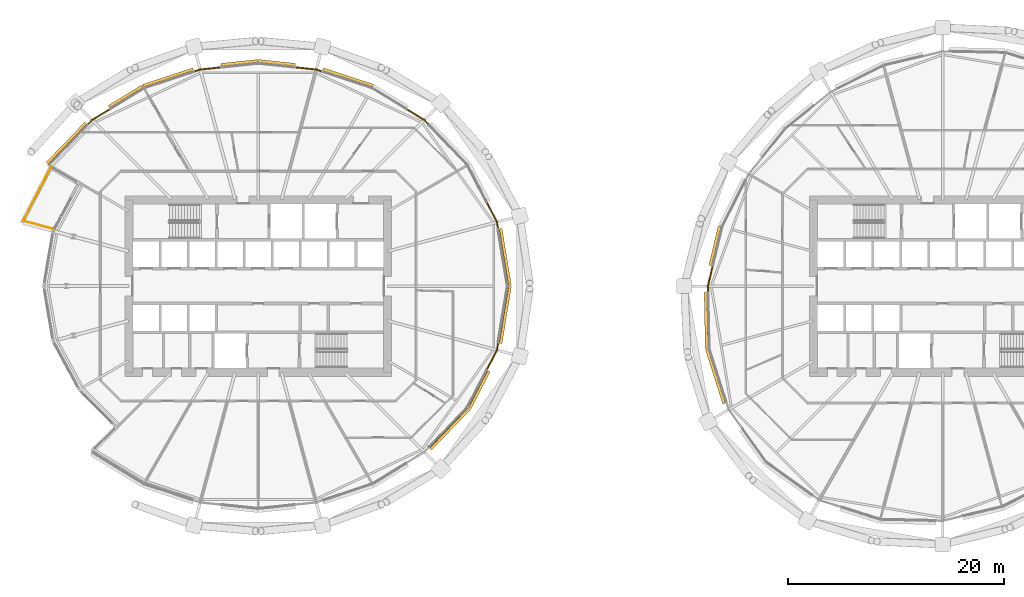
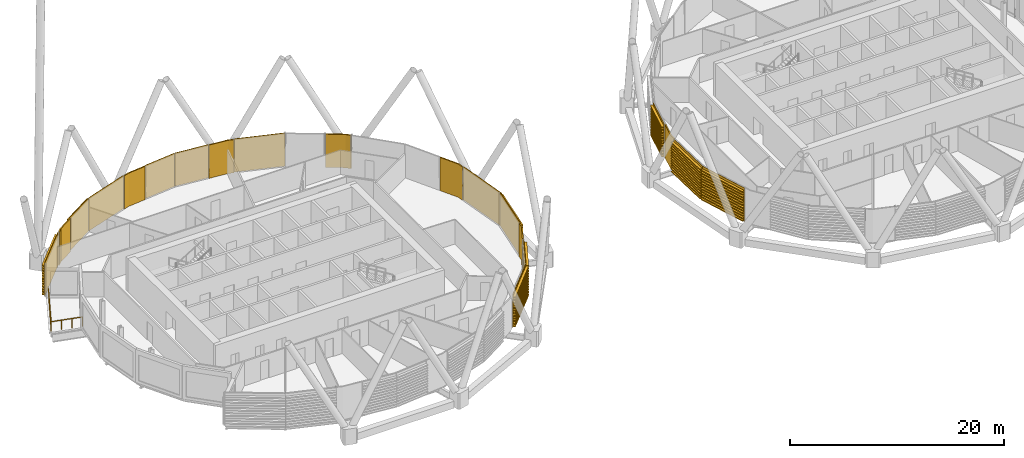
# One storey, part 36 of 39: 20 coverings, 1 railing.
"""IFC4 building model written with IfcOpenShell, lengths in metres."""

from ifc_helpers import new_model, si_unit, direction, frame, origin, origin_2d, place, context, subcontext, project, spatial, polyline, circle, outline, extrude, material, layer, layer_set, material_profile, profile_set, type_object, element, save


model = new_model("IFC4")

# Units and contexts
model_context = context("Model", 3, precision=1e-05, world=origin(), true_north=direction((0.0, 1.0)))
body_context = subcontext(model_context, "Body", "Model", "MODEL_VIEW")
ifc_project = project(units=[si_unit("LENGTHUNIT", "METRE"), si_unit("AREAUNIT", "SQUARE_METRE"), si_unit("VOLUMEUNIT", "CUBIC_METRE"), si_unit("PLANEANGLEUNIT", "RADIAN"), si_unit("MASSUNIT", "GRAM", prefix="KILO")], contexts=[model_context])

# Site, building, storey
site_placement = place(None, origin())
site = spatial("IfcSite", under=ifc_project, at=site_placement, CompositionType="ELEMENT")
building_placement = place(site_placement, origin())
building = spatial("IfcBuilding", under=site, at=building_placement, Name="Rimbun Link Towers", CompositionType="ELEMENT")
storey_placement = place(building_placement, frame((0.0, 0.0, 115.800048828125)))
storey = spatial("IfcBuildingStorey", under=building, at=storey_placement, Name="L28", CompositionType="ELEMENT", Elevation=115.800048828125)

# Railing
ifc_material_1 = material(Name="Stainless steel grade 316", Category="steel")
railing_type = type_object("IfcRailingType", Name="GUARD stainless rail and posts", PredefinedType="GUARDRAIL", material=ifc_material_1)
railing_placement = place(storey_placement, frame((-50.94580078125, 11.093505859375, 0.0)))
element("IfcRailing", 1, at=railing_placement, inside=storey, type_object=railing_type, Name="GUARD", PredefinedType="GUARDRAIL", context=body_context, shape_type="SweptSolid", body=[
    extrude(circle(Radius=0.02392578125, at=origin_2d()), frame((0.0, 0.0, 1.076171875), z_axis=(-0.45953519296, -0.888159561358, 0.0), x_axis=(0.888159561358, -0.45953519296, 0.0)), (0.0, 0.0, 1.0), 5.6787109375),
    extrude(circle(Radius=0.02392578125, at=origin_2d()), frame((-2.609619140625, -5.043701171875, 1.076171875), z_axis=(0.965919477971, -0.258842736186, 0.0), x_axis=(0.258842736186, 0.965919477971, 0.0)), (0.0, 0.0, 1.0), 3.05126953125),
    extrude(circle(Radius=0.02099609375, at=origin_2d()), origin(), (0.0, 0.0, 1.0), 1.052001953125),
    extrude(circle(Radius=0.02099609375, at=origin_2d()), frame((-0.52197265625, -1.0087890625, 0.0)), (0.0, 0.0, 1.0), 1.052001953125),
    extrude(circle(Radius=0.02099609375, at=origin_2d()), frame((-1.0439453125, -2.017578125, 0.0)), (0.0, 0.0, 1.0), 1.052001953125),
    extrude(circle(Radius=0.02099609375, at=origin_2d()), frame((-1.565673828125, -3.026123046875, 0.0)), (0.0, 0.0, 1.0), 1.052001953125),
    extrude(circle(Radius=0.02099609375, at=origin_2d()), frame((-2.087646484375, -4.034912109375, 0.0)), (0.0, 0.0, 1.0), 1.052001953125),
    extrude(circle(Radius=0.02099609375, at=origin_2d()), frame((-2.609619140625, -5.043701171875, 0.0)), (0.0, 0.0, 1.0), 1.052001953125),
    extrude(circle(Radius=0.02099609375, at=origin_2d()), frame((-1.627197265625, -5.306884765625, 0.0)), (0.0, 0.0, 1.0), 1.052001953125),
    extrude(circle(Radius=0.02099609375, at=origin_2d()), frame((-0.644775390625, -5.5703125, 0.0)), (0.0, 0.0, 1.0), 1.052001953125),
    extrude(circle(Radius=0.02099609375, at=origin_2d()), frame((0.337646484375, -5.83349609375, 0.0)), (0.0, 0.0, 1.0), 1.052001953125),
])

# Coverings
ifc_material_2 = material(Name="Terracotta", Category="masonry")
ifc_layer = layer(ifc_material_2, 0.1201171875)
ifc_layer_set = layer_set([ifc_layer], Name="LINK PIER terracotta cladding 120")
covering_type_1 = type_object("IfcCoveringType", Name="LINK PIER terracotta cladding 120", PredefinedType="CLADDING", material=ifc_layer_set)
covering_1_placement = place(storey_placement, origin())
element("IfcCovering", 2, at=covering_1_placement, inside=storey, type_object=covering_type_1, Name="LINK PIER cladding", PredefinedType="CLADDING", context=body_context, shape_type="SweptSolid", body=[
    extrude(outline(polyline([(-10.5810546875, 7.715087890625), (-9.652587890625, 5.9208984375), (-9.552001953125, 5.309326171875), (-9.43359375, 5.32861328125), (-9.537353515625, 5.959228515625), (-10.474365234375, 7.770263671875), (-10.5810546875, 7.715087890625)])), origin(), (0.0, 0.0, 1.0), 3.800048828125),
])
covering_2_placement = place(storey_placement, origin())
element("IfcCovering", 3, at=covering_2_placement, inside=storey, type_object=covering_type_1, Name="LINK PIER cladding", PredefinedType="CLADDING", context=body_context, shape_type="SweptSolid", body=[
    extrude(outline(polyline([(-17.97802734375, 16.343994140625), (-16.384521484375, 15.365478515625), (-15.989990234375, 14.9541015625), (-15.9033203125, 15.037109375), (-16.308349609375, 15.459716796875), (-17.915283203125, 16.4462890625), (-17.97802734375, 16.343994140625)])), origin(), (0.0, 0.0, 1.0), 3.800048828125),
])
covering_3_placement = place(storey_placement, origin())
element("IfcCovering", 4, at=covering_3_placement, inside=storey, type_object=covering_type_1, Name="LINK PIER cladding", PredefinedType="CLADDING", context=body_context, shape_type="SweptSolid", body=[
    extrude(outline(polyline([(-28.29150390625, 20.23486328125), (-26.382080078125, 20.03369140625), (-25.8408203125, 19.8544921875), (-25.80322265625, 19.96826171875), (-26.3564453125, 20.151611328125), (-28.27880859375, 20.354248046875), (-28.29150390625, 20.23486328125)])), origin(), (0.0, 0.0, 1.0), 3.800048828125),
])
covering_4_placement = place(storey_placement, origin())
element("IfcCovering", 5, at=covering_4_placement, inside=storey, type_object=covering_type_1, Name="LINK PIER cladding", PredefinedType="CLADDING", context=body_context, shape_type="SweptSolid", body=[
    extrude(outline(polyline([(-37.6591796875, 19.8544921875), (-37.117919921875, 20.03369140625), (-35.20849609375, 20.23486328125), (-35.22119140625, 20.354248046875), (-37.1435546875, 20.151611328125), (-37.69677734375, 19.96826171875), (-37.6591796875, 19.8544921875)])), origin(), (0.0, 0.0, 1.0), 3.800048828125),
])
covering_5_placement = place(storey_placement, origin())
element("IfcCovering", 6, at=covering_5_placement, inside=storey, type_object=covering_type_1, Name="LINK PIER cladding", PredefinedType="CLADDING", context=body_context, shape_type="SweptSolid", body=[
    extrude(outline(polyline([(-47.510009765625, 14.9541015625), (-47.115478515625, 15.365478515625), (-45.4794921875, 16.3701171875), (-45.542236328125, 16.472412109375), (-47.191650390625, 15.459716796875), (-47.5966796875, 15.037109375), (-47.510009765625, 14.9541015625)])), origin(), (0.0, 0.0, 1.0), 3.800048828125),
])
covering_6_placement = place(storey_placement, origin())
element("IfcCovering", 7, at=covering_6_placement, inside=storey, type_object=covering_type_1, Name="LINK PIER cladding", PredefinedType="CLADDING", context=body_context, shape_type="SweptSolid", body=[
    extrude(outline(polyline([(-9.552001953125, -5.309326171875), (-9.652587890625, -5.9208984375), (-10.5810546875, -7.715087890625), (-10.474365234375, -7.770263671875), (-9.537353515625, -5.959228515625), (-9.43359375, -5.32861328125), (-9.552001953125, -5.309326171875)])), origin(), (0.0, 0.0, 1.0), 3.800048828125),
])
covering_7_placement = place(storey_placement, origin())
element("IfcCovering", 8, at=covering_7_placement, inside=storey, type_object=covering_type_1, Name="LINK PIER cladding", PredefinedType="CLADDING", context=body_context, shape_type="SweptSolid", body=[
    extrude(outline(polyline([(10.03173828125, -0.56982421875), (10.019775390625, 0.0), (10.45458984375, 1.818603515625), (10.337890625, 1.8466796875), (9.8994140625, 0.012939453125), (9.91162109375, -0.572509765625), (10.03173828125, -0.56982421875)])), origin(), (0.0, 0.0, 1.0), 3.800048828125),
])
ifc_material_3 = material(Name="Terracotta", Category="masonry")
ifc_material_profile = material_profile(ifc_material_3, outline(polyline([(0.123046875, 0.0), (0.1630859375, 0.0), (0.1630859375, 0.10009765625), (0.423095703125, 0.10009765625), (0.423095703125, 0.219970703125), (0.1630859375, 0.219970703125), (0.1630859375, 0.39990234375), (0.423095703125, 0.39990234375), (0.423095703125, 0.52001953125), (0.1630859375, 0.52001953125), (0.1630859375, 0.699951171875), (0.423095703125, 0.699951171875), (0.423095703125, 0.820068359375), (0.1630859375, 0.820068359375), (0.1630859375, 1.0), (0.423095703125, 1.0), (0.423095703125, 1.1201171875), (0.1630859375, 1.1201171875), (0.1630859375, 1.300048828125), (0.423095703125, 1.300048828125), (0.423095703125, 1.419921875), (0.1630859375, 1.419921875), (0.1630859375, 1.60009765625), (0.423095703125, 1.60009765625), (0.423095703125, 1.719970703125), (0.1630859375, 1.719970703125), (0.1630859375, 1.89990234375), (0.423095703125, 1.89990234375), (0.423095703125, 2.02001953125), (0.1630859375, 2.02001953125), (0.1630859375, 2.199951171875), (0.423095703125, 2.199951171875), (0.423095703125, 2.320068359375), (0.1630859375, 2.320068359375), (0.1630859375, 2.5), (0.423095703125, 2.5), (0.423095703125, 2.6201171875), (0.1630859375, 2.6201171875), (0.1630859375, 2.800048828125), (0.423095703125, 2.800048828125), (0.423095703125, 2.919921875), (0.1630859375, 2.919921875), (0.1630859375, 3.10009765625), (0.423095703125, 3.10009765625), (0.423095703125, 3.219970703125), (0.1630859375, 3.219970703125), (0.1630859375, 3.39990234375), (0.423095703125, 3.39990234375), (0.423095703125, 3.52001953125), (0.1630859375, 3.52001953125), (0.1630859375, 3.800048828125), (0.123046875, 3.800048828125), (0.123046875, 0.0)])), Name="BAGUETTE 120X300")
ifc_profile_set = profile_set([ifc_material_profile], Name="Terracotta")
covering_type_2 = type_object("IfcCoveringType", Name="TERRACOTTA BAGUETTE 120X300 H3800", PredefinedType="CLADDING", material=ifc_profile_set)
covering_8_placement = place(storey_placement, frame((-9.547119140625, 5.279541015625, 0.0), z_axis=(0.162260158784, -0.986748012854, 0.0), x_axis=(0.986748012854, 0.162260158784, 0.0)))
element("IfcCovering", 9, at=covering_8_placement, inside=storey, type_object=covering_type_2, Name="TERRACOTTA BAGUETTE", PredefinedType="CLADDING", context=body_context, shape_type="SweptSolid", body=[
    extrude(outline(polyline([(0.123046875, 0.0), (0.1630859375, 0.0), (0.1630859375, 0.10009765625), (0.423095703125, 0.10009765625), (0.423095703125, 0.219970703125), (0.1630859375, 0.219970703125), (0.1630859375, 0.39990234375), (0.423095703125, 0.39990234375), (0.423095703125, 0.52001953125), (0.1630859375, 0.52001953125), (0.1630859375, 0.699951171875), (0.423095703125, 0.699951171875), (0.423095703125, 0.820068359375), (0.1630859375, 0.820068359375), (0.1630859375, 1.0), (0.423095703125, 1.0), (0.423095703125, 1.1201171875), (0.1630859375, 1.1201171875), (0.1630859375, 1.300048828125), (0.423095703125, 1.300048828125), (0.423095703125, 1.419921875), (0.1630859375, 1.419921875), (0.1630859375, 1.60009765625), (0.423095703125, 1.60009765625), (0.423095703125, 1.719970703125), (0.1630859375, 1.719970703125), (0.1630859375, 1.89990234375), (0.423095703125, 1.89990234375), (0.423095703125, 2.02001953125), (0.1630859375, 2.02001953125), (0.1630859375, 2.199951171875), (0.423095703125, 2.199951171875), (0.423095703125, 2.320068359375), (0.1630859375, 2.320068359375), (0.1630859375, 2.5), (0.423095703125, 2.5), (0.423095703125, 2.6201171875), (0.1630859375, 2.6201171875), (0.1630859375, 2.800048828125), (0.423095703125, 2.800048828125), (0.423095703125, 2.919921875), (0.1630859375, 2.919921875), (0.1630859375, 3.10009765625), (0.423095703125, 3.10009765625), (0.423095703125, 3.219970703125), (0.1630859375, 3.219970703125), (0.1630859375, 3.39990234375), (0.423095703125, 3.39990234375), (0.423095703125, 3.52001953125), (0.1630859375, 3.52001953125), (0.1630859375, 3.800048828125), (0.123046875, 3.800048828125), (0.123046875, 0.0)])), origin(), (0.0, 0.0, 1.0), 5.350341796875),
])
covering_9_placement = place(storey_placement, frame((-25.8125, 19.844970703125, 0.0), z_axis=(0.949241981904, -0.314546752948, 0.0), x_axis=(0.314546752948, 0.949241981904, 0.0)))
element("IfcCovering", 10, at=covering_9_placement, inside=storey, type_object=covering_type_2, Name="TERRACOTTA BAGUETTE", PredefinedType="CLADDING", context=body_context, shape_type="SweptSolid", body=[
    extrude(outline(polyline([(0.123046875, 0.0), (0.1630859375, 0.0), (0.1630859375, 0.10009765625), (0.423095703125, 0.10009765625), (0.423095703125, 0.219970703125), (0.1630859375, 0.219970703125), (0.1630859375, 0.39990234375), (0.423095703125, 0.39990234375), (0.423095703125, 0.52001953125), (0.1630859375, 0.52001953125), (0.1630859375, 0.699951171875), (0.423095703125, 0.699951171875), (0.423095703125, 0.820068359375), (0.1630859375, 0.820068359375), (0.1630859375, 1.0), (0.423095703125, 1.0), (0.423095703125, 1.1201171875), (0.1630859375, 1.1201171875), (0.1630859375, 1.300048828125), (0.423095703125, 1.300048828125), (0.423095703125, 1.419921875), (0.1630859375, 1.419921875), (0.1630859375, 1.60009765625), (0.423095703125, 1.60009765625), (0.423095703125, 1.719970703125), (0.1630859375, 1.719970703125), (0.1630859375, 1.89990234375), (0.423095703125, 1.89990234375), (0.423095703125, 2.02001953125), (0.1630859375, 2.02001953125), (0.1630859375, 2.199951171875), (0.423095703125, 2.199951171875), (0.423095703125, 2.320068359375), (0.1630859375, 2.320068359375), (0.1630859375, 2.5), (0.423095703125, 2.5), (0.423095703125, 2.6201171875), (0.1630859375, 2.6201171875), (0.1630859375, 2.800048828125), (0.423095703125, 2.800048828125), (0.423095703125, 2.919921875), (0.1630859375, 2.919921875), (0.1630859375, 3.10009765625), (0.423095703125, 3.10009765625), (0.423095703125, 3.219970703125), (0.1630859375, 3.219970703125), (0.1630859375, 3.39990234375), (0.423095703125, 3.39990234375), (0.423095703125, 3.52001953125), (0.1630859375, 3.52001953125), (0.1630859375, 3.800048828125), (0.123046875, 3.800048828125), (0.123046875, 0.0)])), origin(), (0.0, 0.0, 1.0), 4.88134765625),
])
for number, where, z_axis, x_axis, name in (
    (11, (-31.75, 20.59912109375, 0.0), (0.99450040754, -0.104732704554, 0.0), (0.104732704554, 0.99450040754, 0.0), "TERRACOTTA BAGUETTE"),
    (12, (-35.1787109375, 20.238037109375, 0.0), (0.99450040754, 0.104732704554, 0.0), (-0.104732704554, 0.99450040754, 0.0), "TERRACOTTA BAGUETTE"),
):
    element("IfcCovering", number, at=place(storey_placement, frame(where, z_axis=z_axis, x_axis=x_axis)), inside=storey, type_object=covering_type_2, Name=name, PredefinedType="CLADDING", context=body_context, shape_type="SweptSolid", body=[
        extrude(outline(polyline([(0.123046875, 0.0), (0.1630859375, 0.0), (0.1630859375, 0.10009765625), (0.423095703125, 0.10009765625), (0.423095703125, 0.219970703125), (0.1630859375, 0.219970703125), (0.1630859375, 0.39990234375), (0.423095703125, 0.39990234375), (0.423095703125, 0.52001953125), (0.1630859375, 0.52001953125), (0.1630859375, 0.699951171875), (0.423095703125, 0.699951171875), (0.423095703125, 0.820068359375), (0.1630859375, 0.820068359375), (0.1630859375, 1.0), (0.423095703125, 1.0), (0.423095703125, 1.1201171875), (0.1630859375, 1.1201171875), (0.1630859375, 1.300048828125), (0.423095703125, 1.300048828125), (0.423095703125, 1.419921875), (0.1630859375, 1.419921875), (0.1630859375, 1.60009765625), (0.423095703125, 1.60009765625), (0.423095703125, 1.719970703125), (0.1630859375, 1.719970703125), (0.1630859375, 1.89990234375), (0.423095703125, 1.89990234375), (0.423095703125, 2.02001953125), (0.1630859375, 2.02001953125), (0.1630859375, 2.199951171875), (0.423095703125, 2.199951171875), (0.423095703125, 2.320068359375), (0.1630859375, 2.320068359375), (0.1630859375, 2.5), (0.423095703125, 2.5), (0.423095703125, 2.6201171875), (0.1630859375, 2.6201171875), (0.1630859375, 2.800048828125), (0.423095703125, 2.800048828125), (0.423095703125, 2.919921875), (0.1630859375, 2.919921875), (0.1630859375, 3.10009765625), (0.423095703125, 3.10009765625), (0.423095703125, 3.219970703125), (0.1630859375, 3.219970703125), (0.1630859375, 3.39990234375), (0.423095703125, 3.39990234375), (0.423095703125, 3.52001953125), (0.1630859375, 3.52001953125), (0.1630859375, 3.800048828125), (0.123046875, 3.800048828125), (0.123046875, 0.0)])), origin(), (0.0, 0.0, 1.0), 3.44775390625),
    ])
covering_10_placement = place(storey_placement, frame((-42.321044921875, 18.3095703125, 0.0), z_axis=(0.949241981904, 0.314546752948, 0.0), x_axis=(-0.314546752948, 0.949241981904, 0.0)))
element("IfcCovering", 13, at=covering_10_placement, inside=storey, type_object=covering_type_2, Name="TERRACOTTA BAGUETTE", PredefinedType="CLADDING", context=body_context, shape_type="SweptSolid", body=[
    extrude(outline(polyline([(0.123046875, 0.0), (0.1630859375, 0.0), (0.1630859375, 0.10009765625), (0.423095703125, 0.10009765625), (0.423095703125, 0.219970703125), (0.1630859375, 0.219970703125), (0.1630859375, 0.39990234375), (0.423095703125, 0.39990234375), (0.423095703125, 0.52001953125), (0.1630859375, 0.52001953125), (0.1630859375, 0.699951171875), (0.423095703125, 0.699951171875), (0.423095703125, 0.820068359375), (0.1630859375, 0.820068359375), (0.1630859375, 1.0), (0.423095703125, 1.0), (0.423095703125, 1.1201171875), (0.1630859375, 1.1201171875), (0.1630859375, 1.300048828125), (0.423095703125, 1.300048828125), (0.423095703125, 1.419921875), (0.1630859375, 1.419921875), (0.1630859375, 1.60009765625), (0.423095703125, 1.60009765625), (0.423095703125, 1.719970703125), (0.1630859375, 1.719970703125), (0.1630859375, 1.89990234375), (0.423095703125, 1.89990234375), (0.423095703125, 2.02001953125), (0.1630859375, 2.02001953125), (0.1630859375, 2.199951171875), (0.423095703125, 2.199951171875), (0.423095703125, 2.320068359375), (0.1630859375, 2.320068359375), (0.1630859375, 2.5), (0.423095703125, 2.5), (0.423095703125, 2.6201171875), (0.1630859375, 2.6201171875), (0.1630859375, 2.800048828125), (0.423095703125, 2.800048828125), (0.423095703125, 2.919921875), (0.1630859375, 2.919921875), (0.1630859375, 3.10009765625), (0.423095703125, 3.10009765625), (0.423095703125, 3.219970703125), (0.1630859375, 3.219970703125), (0.1630859375, 3.39990234375), (0.423095703125, 3.39990234375), (0.423095703125, 3.52001953125), (0.1630859375, 3.52001953125), (0.1630859375, 3.800048828125), (0.123046875, 3.800048828125), (0.123046875, 0.0)])), origin(), (0.0, 0.0, 1.0), 4.88134765625),
])
covering_11_placement = place(storey_placement, frame((-45.453857421875, 16.385986328125, 0.0), z_axis=(0.852180057576, 0.523248649754, 0.0), x_axis=(-0.523248649754, 0.852180057576, 0.0)))
element("IfcCovering", 14, at=covering_11_placement, inside=storey, type_object=covering_type_2, Name="TERRACOTTA BAGUETTE", PredefinedType="CLADDING", context=body_context, shape_type="SweptSolid", body=[
    extrude(outline(polyline([(0.123046875, 0.0), (0.1630859375, 0.0), (0.1630859375, 0.10009765625), (0.423095703125, 0.10009765625), (0.423095703125, 0.219970703125), (0.1630859375, 0.219970703125), (0.1630859375, 0.39990234375), (0.423095703125, 0.39990234375), (0.423095703125, 0.52001953125), (0.1630859375, 0.52001953125), (0.1630859375, 0.699951171875), (0.423095703125, 0.699951171875), (0.423095703125, 0.820068359375), (0.1630859375, 0.820068359375), (0.1630859375, 1.0), (0.423095703125, 1.0), (0.423095703125, 1.1201171875), (0.1630859375, 1.1201171875), (0.1630859375, 1.300048828125), (0.423095703125, 1.300048828125), (0.423095703125, 1.419921875), (0.1630859375, 1.419921875), (0.1630859375, 1.60009765625), (0.423095703125, 1.60009765625), (0.423095703125, 1.719970703125), (0.1630859375, 1.719970703125), (0.1630859375, 1.89990234375), (0.423095703125, 1.89990234375), (0.423095703125, 2.02001953125), (0.1630859375, 2.02001953125), (0.1630859375, 2.199951171875), (0.423095703125, 2.199951171875), (0.423095703125, 2.320068359375), (0.1630859375, 2.320068359375), (0.1630859375, 2.5), (0.423095703125, 2.5), (0.423095703125, 2.6201171875), (0.1630859375, 2.6201171875), (0.1630859375, 2.800048828125), (0.423095703125, 2.800048828125), (0.423095703125, 2.919921875), (0.1630859375, 2.919921875), (0.1630859375, 3.10009765625), (0.423095703125, 3.10009765625), (0.423095703125, 3.219970703125), (0.1630859375, 3.219970703125), (0.1630859375, 3.39990234375), (0.423095703125, 3.39990234375), (0.423095703125, 3.52001953125), (0.1630859375, 3.52001953125), (0.1630859375, 3.800048828125), (0.123046875, 3.800048828125), (0.123046875, 0.0)])), origin(), (0.0, 0.0, 1.0), 3.67626953125),
])
for number, where, z_axis, x_axis, name in (
    (15, (-51.12353515625, 11.185302734375, 0.0), (0.692065709905, 0.721834505391, 0.0), (-0.721834505391, 0.692065709905, 0.0), "TERRACOTTA BAGUETTE"),
    (16, (-12.37646484375, -11.185302734375, 0.0), (-0.692065709905, -0.721834505391, 0.0), (0.721834505391, -0.692065709905, 0.0), "TERRACOTTA BAGUETTE"),
):
    element("IfcCovering", number, at=place(storey_placement, frame(where, z_axis=z_axis, x_axis=x_axis)), inside=storey, type_object=covering_type_2, Name=name, PredefinedType="CLADDING", context=body_context, shape_type="SweptSolid", body=[
        extrude(outline(polyline([(0.123046875, 0.0), (0.1630859375, 0.0), (0.1630859375, 0.10009765625), (0.423095703125, 0.10009765625), (0.423095703125, 0.219970703125), (0.1630859375, 0.219970703125), (0.1630859375, 0.39990234375), (0.423095703125, 0.39990234375), (0.423095703125, 0.52001953125), (0.1630859375, 0.52001953125), (0.1630859375, 0.699951171875), (0.423095703125, 0.699951171875), (0.423095703125, 0.820068359375), (0.1630859375, 0.820068359375), (0.1630859375, 1.0), (0.423095703125, 1.0), (0.423095703125, 1.1201171875), (0.1630859375, 1.1201171875), (0.1630859375, 1.300048828125), (0.423095703125, 1.300048828125), (0.423095703125, 1.419921875), (0.1630859375, 1.419921875), (0.1630859375, 1.60009765625), (0.423095703125, 1.60009765625), (0.423095703125, 1.719970703125), (0.1630859375, 1.719970703125), (0.1630859375, 1.89990234375), (0.423095703125, 1.89990234375), (0.423095703125, 2.02001953125), (0.1630859375, 2.02001953125), (0.1630859375, 2.199951171875), (0.423095703125, 2.199951171875), (0.423095703125, 2.320068359375), (0.1630859375, 2.320068359375), (0.1630859375, 2.5), (0.423095703125, 2.5), (0.423095703125, 2.6201171875), (0.1630859375, 2.6201171875), (0.1630859375, 2.800048828125), (0.423095703125, 2.800048828125), (0.423095703125, 2.919921875), (0.1630859375, 2.919921875), (0.1630859375, 3.10009765625), (0.423095703125, 3.10009765625), (0.423095703125, 3.219970703125), (0.1630859375, 3.219970703125), (0.1630859375, 3.39990234375), (0.423095703125, 3.39990234375), (0.423095703125, 3.52001953125), (0.1630859375, 3.52001953125), (0.1630859375, 3.800048828125), (0.123046875, 3.800048828125), (0.123046875, 0.0)])), origin(), (0.0, 0.0, 1.0), 5.19140625),
    ])
covering_12_placement = place(storey_placement, frame((-10.5947265625, -7.74169921875, 0.0), z_axis=(-0.459537686225, -0.888158271334, 0.0), x_axis=(0.888158271334, -0.459537686225, 0.0)))
element("IfcCovering", 17, at=covering_12_placement, inside=storey, type_object=covering_type_2, Name="TERRACOTTA BAGUETTE", PredefinedType="CLADDING", context=body_context, shape_type="SweptSolid", body=[
    extrude(outline(polyline([(0.123046875, 0.0), (0.1630859375, 0.0), (0.1630859375, 0.10009765625), (0.423095703125, 0.10009765625), (0.423095703125, 0.219970703125), (0.1630859375, 0.219970703125), (0.1630859375, 0.39990234375), (0.423095703125, 0.39990234375), (0.423095703125, 0.52001953125), (0.1630859375, 0.52001953125), (0.1630859375, 0.699951171875), (0.423095703125, 0.699951171875), (0.423095703125, 0.820068359375), (0.1630859375, 0.820068359375), (0.1630859375, 1.0), (0.423095703125, 1.0), (0.423095703125, 1.1201171875), (0.1630859375, 1.1201171875), (0.1630859375, 1.300048828125), (0.423095703125, 1.300048828125), (0.423095703125, 1.419921875), (0.1630859375, 1.419921875), (0.1630859375, 1.60009765625), (0.423095703125, 1.60009765625), (0.423095703125, 1.719970703125), (0.1630859375, 1.719970703125), (0.1630859375, 1.89990234375), (0.423095703125, 1.89990234375), (0.423095703125, 2.02001953125), (0.1630859375, 2.02001953125), (0.1630859375, 2.199951171875), (0.423095703125, 2.199951171875), (0.423095703125, 2.320068359375), (0.1630859375, 2.320068359375), (0.1630859375, 2.5), (0.423095703125, 2.5), (0.423095703125, 2.6201171875), (0.1630859375, 2.6201171875), (0.1630859375, 2.800048828125), (0.423095703125, 2.800048828125), (0.423095703125, 2.919921875), (0.1630859375, 2.919921875), (0.1630859375, 3.10009765625), (0.423095703125, 3.10009765625), (0.423095703125, 3.219970703125), (0.1630859375, 3.219970703125), (0.1630859375, 3.39990234375), (0.423095703125, 3.39990234375), (0.423095703125, 3.52001953125), (0.1630859375, 3.52001953125), (0.1630859375, 3.800048828125), (0.123046875, 3.800048828125), (0.123046875, 0.0)])), origin(), (0.0, 0.0, 1.0), 3.877197265625),
])
covering_13_placement = place(storey_placement, frame((-8.678955078125, 0.0, 0.0), z_axis=(-0.162260158784, -0.986748012854, 0.0), x_axis=(0.986748012854, -0.162260158784, 0.0)))
element("IfcCovering", 18, at=covering_13_placement, inside=storey, type_object=covering_type_2, Name="TERRACOTTA BAGUETTE", PredefinedType="CLADDING", context=body_context, shape_type="SweptSolid", body=[
    extrude(outline(polyline([(0.123046875, 0.0), (0.1630859375, 0.0), (0.1630859375, 0.10009765625), (0.423095703125, 0.10009765625), (0.423095703125, 0.219970703125), (0.1630859375, 0.219970703125), (0.1630859375, 0.39990234375), (0.423095703125, 0.39990234375), (0.423095703125, 0.52001953125), (0.1630859375, 0.52001953125), (0.1630859375, 0.699951171875), (0.423095703125, 0.699951171875), (0.423095703125, 0.820068359375), (0.1630859375, 0.820068359375), (0.1630859375, 1.0), (0.423095703125, 1.0), (0.423095703125, 1.1201171875), (0.1630859375, 1.1201171875), (0.1630859375, 1.300048828125), (0.423095703125, 1.300048828125), (0.423095703125, 1.419921875), (0.1630859375, 1.419921875), (0.1630859375, 1.60009765625), (0.423095703125, 1.60009765625), (0.423095703125, 1.719970703125), (0.1630859375, 1.719970703125), (0.1630859375, 1.89990234375), (0.423095703125, 1.89990234375), (0.423095703125, 2.02001953125), (0.1630859375, 2.02001953125), (0.1630859375, 2.199951171875), (0.423095703125, 2.199951171875), (0.423095703125, 2.320068359375), (0.1630859375, 2.320068359375), (0.1630859375, 2.5), (0.423095703125, 2.5), (0.423095703125, 2.6201171875), (0.1630859375, 2.6201171875), (0.1630859375, 2.800048828125), (0.423095703125, 2.800048828125), (0.423095703125, 2.919921875), (0.1630859375, 2.919921875), (0.1630859375, 3.10009765625), (0.423095703125, 3.10009765625), (0.423095703125, 3.219970703125), (0.1630859375, 3.219970703125), (0.1630859375, 3.39990234375), (0.423095703125, 3.39990234375), (0.423095703125, 3.52001953125), (0.1630859375, 3.52001953125), (0.1630859375, 3.800048828125), (0.123046875, 3.800048828125), (0.123046875, 0.0)])), origin(), (0.0, 0.0, 1.0), 5.350341796875),
])
covering_14_placement = place(storey_placement, frame((10.461669921875, 1.847900390625, 0.0), z_axis=(0.232594769921, 0.972573736539, 0.0), x_axis=(-0.972573736539, 0.232594769921, 0.0)))
element("IfcCovering", 19, at=covering_14_placement, inside=storey, type_object=covering_type_2, Name="TERRACOTTA BAGUETTE", PredefinedType="CLADDING", context=body_context, shape_type="SweptSolid", body=[
    extrude(outline(polyline([(0.123046875, 0.0), (0.1630859375, 0.0), (0.1630859375, 0.10009765625), (0.423095703125, 0.10009765625), (0.423095703125, 0.219970703125), (0.1630859375, 0.219970703125), (0.1630859375, 0.39990234375), (0.423095703125, 0.39990234375), (0.423095703125, 0.52001953125), (0.1630859375, 0.52001953125), (0.1630859375, 0.699951171875), (0.423095703125, 0.699951171875), (0.423095703125, 0.820068359375), (0.1630859375, 0.820068359375), (0.1630859375, 1.0), (0.423095703125, 1.0), (0.423095703125, 1.1201171875), (0.1630859375, 1.1201171875), (0.1630859375, 1.300048828125), (0.423095703125, 1.300048828125), (0.423095703125, 1.419921875), (0.1630859375, 1.419921875), (0.1630859375, 1.60009765625), (0.423095703125, 1.60009765625), (0.423095703125, 1.719970703125), (0.1630859375, 1.719970703125), (0.1630859375, 1.89990234375), (0.423095703125, 1.89990234375), (0.423095703125, 2.02001953125), (0.1630859375, 2.02001953125), (0.1630859375, 2.199951171875), (0.423095703125, 2.199951171875), (0.423095703125, 2.320068359375), (0.1630859375, 2.320068359375), (0.1630859375, 2.5), (0.423095703125, 2.5), (0.423095703125, 2.6201171875), (0.1630859375, 2.6201171875), (0.1630859375, 2.800048828125), (0.423095703125, 2.800048828125), (0.423095703125, 2.919921875), (0.1630859375, 2.919921875), (0.1630859375, 3.10009765625), (0.423095703125, 3.10009765625), (0.423095703125, 3.219970703125), (0.1630859375, 3.219970703125), (0.1630859375, 3.39990234375), (0.423095703125, 3.39990234375), (0.423095703125, 3.52001953125), (0.1630859375, 3.52001953125), (0.1630859375, 3.800048828125), (0.123046875, 3.800048828125), (0.123046875, 0.0)])), origin(), (0.0, 0.0, 1.0), 3.726318359375),
])
covering_15_placement = place(storey_placement, frame((10.1416015625, -5.789794921875, 0.0), z_axis=(-0.021069740698, 0.999778008373, 0.0), x_axis=(-0.999778008373, -0.021069740698, 0.0)))
element("IfcCovering", 20, at=covering_15_placement, inside=storey, type_object=covering_type_2, Name="TERRACOTTA BAGUETTE", PredefinedType="CLADDING", context=body_context, shape_type="SweptSolid", body=[
    extrude(outline(polyline([(0.123046875, 0.0), (0.1630859375, 0.0), (0.1630859375, 0.10009765625), (0.423095703125, 0.10009765625), (0.423095703125, 0.219970703125), (0.1630859375, 0.219970703125), (0.1630859375, 0.39990234375), (0.423095703125, 0.39990234375), (0.423095703125, 0.52001953125), (0.1630859375, 0.52001953125), (0.1630859375, 0.699951171875), (0.423095703125, 0.699951171875), (0.423095703125, 0.820068359375), (0.1630859375, 0.820068359375), (0.1630859375, 1.0), (0.423095703125, 1.0), (0.423095703125, 1.1201171875), (0.1630859375, 1.1201171875), (0.1630859375, 1.300048828125), (0.423095703125, 1.300048828125), (0.423095703125, 1.419921875), (0.1630859375, 1.419921875), (0.1630859375, 1.60009765625), (0.423095703125, 1.60009765625), (0.423095703125, 1.719970703125), (0.1630859375, 1.719970703125), (0.1630859375, 1.89990234375), (0.423095703125, 1.89990234375), (0.423095703125, 2.02001953125), (0.1630859375, 2.02001953125), (0.1630859375, 2.199951171875), (0.423095703125, 2.199951171875), (0.423095703125, 2.320068359375), (0.1630859375, 2.320068359375), (0.1630859375, 2.5), (0.423095703125, 2.5), (0.423095703125, 2.6201171875), (0.1630859375, 2.6201171875), (0.1630859375, 2.800048828125), (0.423095703125, 2.800048828125), (0.423095703125, 2.919921875), (0.1630859375, 2.919921875), (0.1630859375, 3.10009765625), (0.423095703125, 3.10009765625), (0.423095703125, 3.219970703125), (0.1630859375, 3.219970703125), (0.1630859375, 3.39990234375), (0.423095703125, 3.39990234375), (0.423095703125, 3.52001953125), (0.1630859375, 3.52001953125), (0.1630859375, 3.800048828125), (0.123046875, 3.800048828125), (0.123046875, 0.0)])), origin(), (0.0, 0.0, 1.0), 5.191162109375),
])
covering_16_placement = place(storey_placement, frame((11.7412109375, -10.819091796875, 0.0), z_axis=(-0.303096727512, 0.952959796514, 0.0), x_axis=(-0.952959796514, -0.303096727512, 0.0)))
element("IfcCovering", 21, at=covering_16_placement, inside=storey, type_object=covering_type_2, Name="TERRACOTTA BAGUETTE", PredefinedType="CLADDING", context=body_context, shape_type="SweptSolid", body=[
    extrude(outline(polyline([(0.123046875, 0.0), (0.1630859375, 0.0), (0.1630859375, 0.10009765625), (0.423095703125, 0.10009765625), (0.423095703125, 0.219970703125), (0.1630859375, 0.219970703125), (0.1630859375, 0.39990234375), (0.423095703125, 0.39990234375), (0.423095703125, 0.52001953125), (0.1630859375, 0.52001953125), (0.1630859375, 0.699951171875), (0.423095703125, 0.699951171875), (0.423095703125, 0.820068359375), (0.1630859375, 0.820068359375), (0.1630859375, 1.0), (0.423095703125, 1.0), (0.423095703125, 1.1201171875), (0.1630859375, 1.1201171875), (0.1630859375, 1.300048828125), (0.423095703125, 1.300048828125), (0.423095703125, 1.419921875), (0.1630859375, 1.419921875), (0.1630859375, 1.60009765625), (0.423095703125, 1.60009765625), (0.423095703125, 1.719970703125), (0.1630859375, 1.719970703125), (0.1630859375, 1.89990234375), (0.423095703125, 1.89990234375), (0.423095703125, 2.02001953125), (0.1630859375, 2.02001953125), (0.1630859375, 2.199951171875), (0.423095703125, 2.199951171875), (0.423095703125, 2.320068359375), (0.1630859375, 2.320068359375), (0.1630859375, 2.5), (0.423095703125, 2.5), (0.423095703125, 2.6201171875), (0.1630859375, 2.6201171875), (0.1630859375, 2.800048828125), (0.423095703125, 2.800048828125), (0.423095703125, 2.919921875), (0.1630859375, 2.919921875), (0.1630859375, 3.10009765625), (0.423095703125, 3.10009765625), (0.423095703125, 3.219970703125), (0.1630859375, 3.219970703125), (0.1630859375, 3.39990234375), (0.423095703125, 3.39990234375), (0.423095703125, 3.52001953125), (0.1630859375, 3.52001953125), (0.1630859375, 3.800048828125), (0.123046875, 3.800048828125), (0.123046875, 0.0)])), origin(), (0.0, 0.0, 1.0), 5.277587890625),
])

save(model, "model.ifc")
